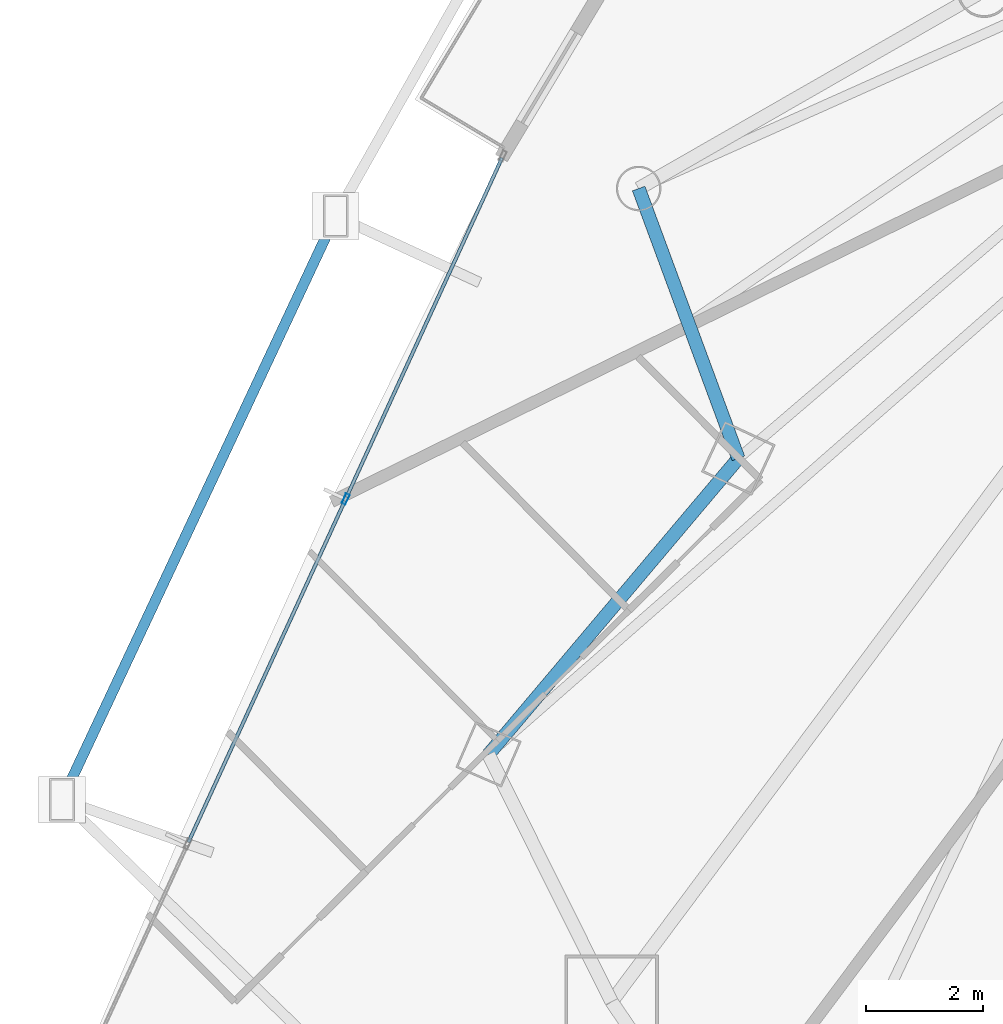
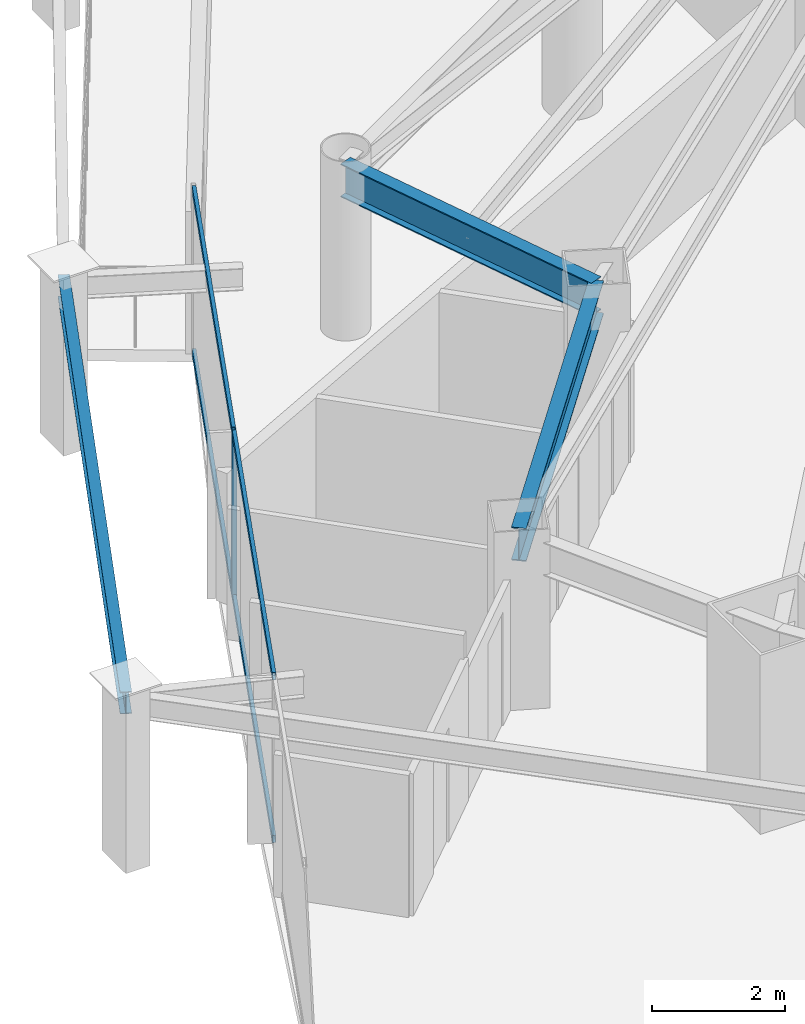
# One storey, part 8 of 35: 5 members, 3 beams, 1 element without a shape of its own.
"""IFC4 building model written with IfcOpenShell, lengths in metres."""

from ifc_helpers import new_model, si_unit, direction, frame, origin, origin_2d, place, context, subcontext, project, spatial, hollow_rectangle, i_section, extrude, material, layer, layer_set, material_profile, profile_set, type_object, element, aggregate, save


model = new_model("IFC4")

# Units and contexts
model_context = context("Model", 3, precision=1e-05, world=origin(), true_north=direction((0.0, 1.0)))
body_context = subcontext(model_context, "Body", "Model", "MODEL_VIEW")
ifc_project = project(units=[si_unit("LENGTHUNIT", "METRE"), si_unit("AREAUNIT", "SQUARE_METRE"), si_unit("VOLUMEUNIT", "CUBIC_METRE"), si_unit("PLANEANGLEUNIT", "RADIAN"), si_unit("MASSUNIT", "GRAM", prefix="KILO")], contexts=[model_context])

# Site, building, storey
site_placement = place(None, origin())
site = spatial("IfcSite", under=ifc_project, at=site_placement, CompositionType="ELEMENT")
building_placement = place(site_placement, origin())
building = spatial("IfcBuilding", under=site, at=building_placement, Name="Orvanel Arch Residences", CompositionType="ELEMENT")
storey_placement = place(building_placement, frame((0.0, 0.0, 40.10009765625)))
storey = spatial("IfcBuildingStorey", under=building, at=storey_placement, Name="L10", CompositionType="ELEMENT", Elevation=40.10009765625)

# Curtain wall, member
ifc_material_1 = material(Name="Bronze-anodised aluminium AA6063-T6", Category="aluminium")
ifc_layer = layer(ifc_material_1, 0.179931640625)
ifc_layer_set = layer_set([ifc_layer], Name="Bronze-anodised aluminium AA6063-T6")
curtain_wall_type = type_object("IfcCurtainWallType", Name="CW2-LOW-SYS", PredefinedType="NOTDEFINED", material=ifc_layer_set)
curtain_wall_placement = place(storey_placement, origin())
curtain_wall = element("IfcCurtainWall", 1, at=curtain_wall_placement, inside=storey, type_object=curtain_wall_type, Name="L10 CW2-LOW-SYS Unitised Curtain Wall", PredefinedType="NOTDEFINED")
ifc_material_profile_1 = material_profile(ifc_material_1, hollow_rectangle(XDim=0.070068359375, YDim=0.179931640625, WallThickness=0.00439453125, at=origin_2d()), Name="ALU180x70x4.5")
ifc_profile_set_1 = profile_set([ifc_material_profile_1], Name="Bronze-anodised aluminium AA6063-T6")
member_type_1 = type_object("IfcMemberType", Name="MUL-180x70", PredefinedType="MULLION", material=ifc_profile_set_1)
member_1_placement = place(storey_placement, frame((9.651611328125, 18.946044921875, 0.0), z_axis=(0.0, 0.0, 1.0), x_axis=(0.909118333197, -0.416537940944, 0.0)))
member_1 = element("IfcMember", 2, at=member_1_placement, type_object=member_type_1, Name="CW-S2 mullion 2", PredefinedType="MULLION", context=body_context, shape_type="SweptSolid", body=[
    extrude(hollow_rectangle(XDim=0.070068359375, YDim=0.179931640625, WallThickness=0.00439453125, at=origin_2d()), origin(), (0.0, 0.0, 1.0), 3.059814453125),
])

# Beams
ifc_material_2 = material(Name="Structural steel AS/NZS 3679.1 Grade 300 (300 MPa)", Category="steel")
ifc_material_profile_2 = material_profile(ifc_material_2, i_section(OverallWidth=0.177978515625, OverallDepth=0.406005859375, WebThickness=0.0078125, FlangeThickness=0.0126953125, at=origin_2d()), Name="410UB59.7")
ifc_profile_set_2 = profile_set([ifc_material_profile_2], Name="Structural steel AS/NZS 3679.1 Grade 300 (300 MPa)")
beam_type_1 = type_object("IfcBeamType", Name="OB-410UB-EXT", PredefinedType="SPANDREL", material=ifc_profile_set_2)
beam_1_placement = place(storey_placement, frame((9.47998046875, 23.785888671875, 2.85693359375), z_axis=(-0.424462247881, -0.905445636206, 0.0), x_axis=(0.905445636206, -0.424462247881, 0.0)))
element("IfcBeam", 3, at=beam_1_placement, inside=storey, type_object=beam_type_1, Name="L10 Outer Perimeter Floor Ring Beam 03", PredefinedType="SPANDREL", context=body_context, shape_type="SweptSolid", body=[
    extrude(i_section(OverallWidth=0.177978515625, OverallDepth=0.406005859375, WebThickness=0.0078125, FlangeThickness=0.0126953125, at=origin_2d()), origin(), (0.0, 0.0, 1.0), 11.023193359375),
])
ifc_material_profile_3 = material_profile(ifc_material_2, i_section(OverallWidth=0.22900390625, OverallDepth=0.612060546875, WebThickness=0.011962890625, FlangeThickness=0.01953125, at=origin_2d()), Name="610UB125")
ifc_profile_set_3 = profile_set([ifc_material_profile_3], Name="Structural steel AS/NZS 3679.1 Grade 300 (300 MPa)")
beam_type_2 = type_object("IfcBeamType", Name="SP-610UB", PredefinedType="SPANDREL", material=ifc_profile_set_3)
beam_2_placement = place(storey_placement, frame((16.366943359375, 19.64208984375, 2.75390625), z_axis=(-0.644950329775, -0.764224490659, 0.0), x_axis=(0.764224490659, -0.644950329775, 0.0)))
element("IfcBeam", 4, at=beam_2_placement, inside=storey, type_object=beam_type_2, Name="L10 Perimeter Spandrel Beam 01", PredefinedType="SPANDREL", context=body_context, shape_type="SweptSolid", body=[
    extrude(i_section(OverallWidth=0.22900390625, OverallDepth=0.612060546875, WebThickness=0.011962890625, FlangeThickness=0.01953125, at=origin_2d()), origin(), (0.0, 0.0, 1.0), 6.623779296875),
])
beam_3_placement = place(storey_placement, frame((14.662109375, 24.256103515625, 2.75390625), z_axis=(0.346588434017, -0.938017301229, 0.0), x_axis=(0.938017301229, 0.346588434017, 0.0)))
element("IfcBeam", 5, at=beam_3_placement, inside=storey, type_object=beam_type_2, Name="L10 Perimeter Spandrel Beam 22", PredefinedType="SPANDREL", context=body_context, shape_type="SweptSolid", body=[
    extrude(i_section(OverallWidth=0.22900390625, OverallDepth=0.612060546875, WebThickness=0.011962890625, FlangeThickness=0.01953125, at=origin_2d()), origin(), (0.0, 0.0, 1.0), 4.9189453125),
])

# Member
ifc_material_profile_4 = material_profile(ifc_material_1, hollow_rectangle(XDim=0.06005859375, YDim=0.135009765625, WallThickness=0.00390625, at=origin_2d()), Name="ALU135x60x4")
ifc_profile_set_4 = profile_set([ifc_material_profile_4], Name="Bronze-anodised aluminium AA6063-T6")
member_type_2 = type_object("IfcMemberType", Name="TRN-135x60", PredefinedType="USERDEFINED", material=ifc_profile_set_4)
member_2_placement = place(storey_placement, frame((12.324951171875, 24.7802734375, 0.02978515625), z_axis=(-0.416553290639, -0.909111300149, 0.0), x_axis=(0.909111300149, -0.416553290639, 0.0)))
member_2 = element("IfcMember", 6, at=member_2_placement, type_object=member_type_2, Name="CW-S2 transom 1.1", ObjectType="TRANSOM", PredefinedType="USERDEFINED", context=body_context, shape_type="SweptSolid", body=[
    extrude(hollow_rectangle(XDim=0.06005859375, YDim=0.135009765625, WallThickness=0.00390625, at=origin_2d()), origin(), (0.0, 0.0, 1.0), 6.382568359375),
])

member_3_placement = place(storey_placement, frame((12.324951171875, 24.7802734375, 3.02978515625), z_axis=(-0.416553290639, -0.909111300149, 0.0), x_axis=(0.909111300149, -0.416553290639, 0.0)))
member_3 = element("IfcMember", 7, at=member_3_placement, type_object=member_type_2, Name="CW-S2 transom 1.2", ObjectType="TRANSOM", PredefinedType="USERDEFINED", context=body_context, shape_type="SweptSolid", body=[
    extrude(hollow_rectangle(XDim=0.06005859375, YDim=0.135009765625, WallThickness=0.00390625, at=origin_2d()), origin(), (0.0, 0.0, 1.0), 6.382568359375),
])

member_4_placement = place(storey_placement, frame((9.63720703125, 18.9140625, 0.02978515625), z_axis=(-0.416566943027, -0.909105044523, 0.0), x_axis=(0.909105044523, -0.416566943027, 0.0)))
member_4 = element("IfcMember", 8, at=member_4_placement, type_object=member_type_2, Name="CW-S2 transom 2.1", ObjectType="TRANSOM", PredefinedType="USERDEFINED", context=body_context, shape_type="SweptSolid", body=[
    extrude(hollow_rectangle(XDim=0.06005859375, YDim=0.135009765625, WallThickness=0.00390625, at=origin_2d()), origin(), (0.0, 0.0, 1.0), 6.41748046875),
])

member_5_placement = place(storey_placement, frame((9.63720703125, 18.9140625, 3.02978515625), z_axis=(-0.416566943027, -0.909105044523, 0.0), x_axis=(0.909105044523, -0.416566943027, 0.0)))
member_5 = element("IfcMember", 9, at=member_5_placement, type_object=member_type_2, Name="CW-S2 transom 2.2", ObjectType="TRANSOM", PredefinedType="USERDEFINED", context=body_context, shape_type="SweptSolid", body=[
    extrude(hollow_rectangle(XDim=0.06005859375, YDim=0.135009765625, WallThickness=0.00390625, at=origin_2d()), origin(), (0.0, 0.0, 1.0), 6.41748046875),
])

aggregate(curtain_wall, [member_1, member_2, member_3, member_4, member_5])

save(model, "model.ifc")
